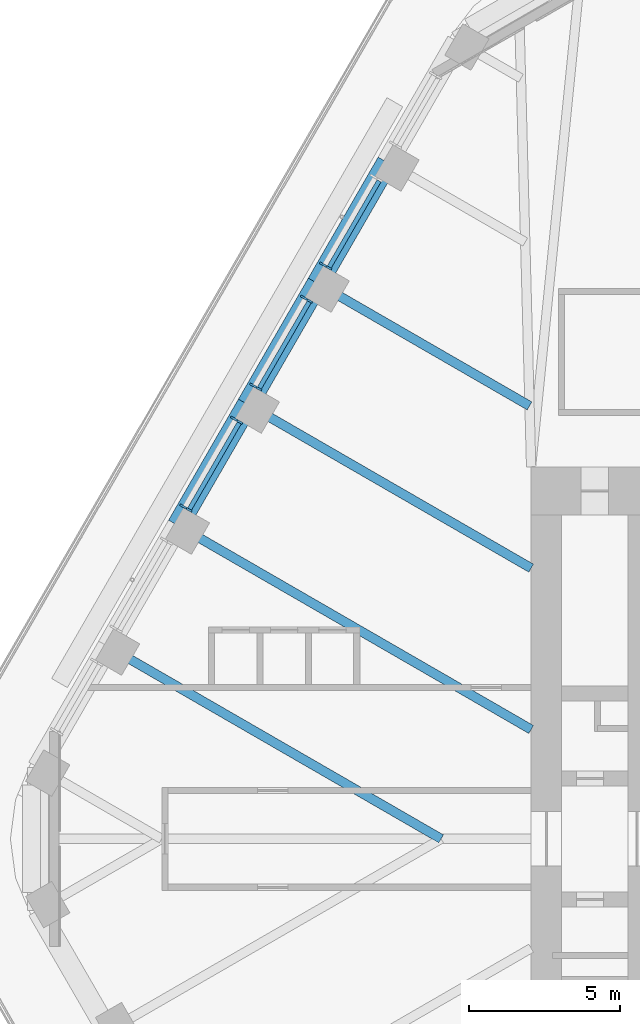
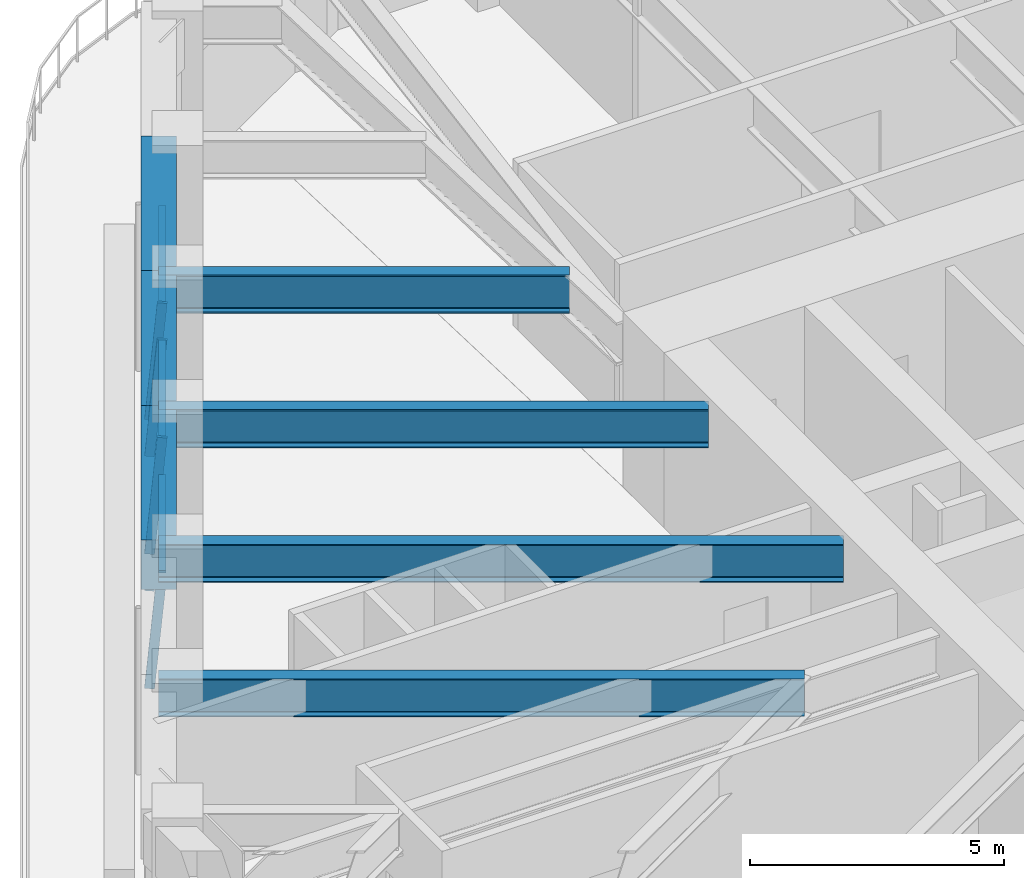
# One storey, part 7 of 20: 8 members, 7 beams, 3 elements without a shape of their own.
"""IFC4 building model written with IfcOpenShell, lengths in metres."""

import ifcopenshell
import ifcopenshell.guid

model = None  # the IFC model being written
_history = None  # IfcOwnerHistory: only IFC2X3 demands one
_inside = {}  # id of a spatial element -> (the spatial element, [elements in it])
_under = {}  # id of a project, library or spatial element -> (it, [spatial elements below it])
_declared = {}  # id of a project -> (the project, [libraries it declares])
_typed = {}  # id of a type object -> (the type object, [elements of that type])
_made_of = {}  # id of a material, layer set ... -> (it, [elements and type objects made of it])


def new_model(schema):
    """Start an empty IFC model of exactly this schema.

    Asked for "IFC4X3", IfcOpenShell would pick the latest addendum, in which some entities
    have other attributes; the version numbers below select the first issue.
    IFC2X3 requires an IfcOwnerHistory on every rooted entity: one is made here for all.
    """
    global model, _history
    if schema == "IFC4X3":
        model = ifcopenshell.file(schema_version=(4, 3, 0, 0))
    else:
        model = ifcopenshell.file(schema=schema)
    _inside.clear()
    _under.clear()
    _declared.clear()
    _typed.clear()
    _made_of.clear()
    _history = None
    if model.schema == "IFC2X3":
        org = make("IfcOrganization", Name="unknown")
        user = make(
            "IfcPersonAndOrganization",
            ThePerson=make("IfcPerson", FamilyName="unknown"),
            TheOrganization=org,
        )
        app = make(
            "IfcApplication",
            ApplicationDeveloper=org,
            Version="unknown",
            ApplicationFullName="unknown",
            ApplicationIdentifier="unknown",
        )
        _history = make(
            "IfcOwnerHistory",
            OwningUser=user,
            OwningApplication=app,
            ChangeAction="ADDED",
            CreationDate=0,
        )
    return model


def make(cls, **values):
    """One entity of the class cls with the attributes given. An attribute that is None is left unset."""
    return model.create_entity(
        cls, **{name: value for name, value in values.items() if value is not None}
    )


def rooted(cls, **values):
    """An entity with a GlobalId (a new one), such as an element, a storey or a relation."""
    return make(cls, GlobalId=ifcopenshell.guid.new(), OwnerHistory=_history, **values)


def si_unit(unit_type, name, prefix=None):
    """IfcSIUnit, for example si_unit("LENGTHUNIT", "METRE", prefix="MILLI")."""
    return make("IfcSIUnit", UnitType=unit_type, Prefix=prefix, Name=name)


def assignment(units):
    """IfcUnitAssignment: the units of a project."""
    return None if units is None else make("IfcUnitAssignment", Units=units)


def point(xyz):
    """IfcCartesianPoint."""
    return None if xyz is None else make("IfcCartesianPoint", Coordinates=xyz)


def direction(xyz):
    """IfcDirection."""
    return None if xyz is None else make("IfcDirection", DirectionRatios=xyz)


def frame(location, z_axis=None, x_axis=None):
    """IfcAxis2Placement3D, a coordinate frame: its origin and axes. An axis left out is left unset."""
    return make(
        "IfcAxis2Placement3D",
        Location=point(location),
        Axis=direction(z_axis),
        RefDirection=direction(x_axis),
    )


def frame_2d(location, x_axis=None):
    """IfcAxis2Placement2D, a coordinate frame in the plane: its origin and x axis."""
    return make(
        "IfcAxis2Placement2D", Location=point(location), RefDirection=direction(x_axis)
    )


def origin():
    """The frame at (0, 0, 0) with its axes left unset."""
    return frame((0.0, 0.0, 0.0))


def origin_2d():
    """The frame at (0, 0) in the plane with its x axis left unset."""
    return frame_2d((0.0, 0.0))


def place(relative_to, where):
    """IfcLocalPlacement: puts the frame where relative to a parent placement (None: the world)."""
    return make(
        "IfcLocalPlacement", PlacementRelTo=relative_to, RelativePlacement=where
    )


def context(
    kind, dimensions, precision=None, world=None, true_north=None, identifier=None
):
    """IfcGeometricRepresentationContext, for example the 3D "Model" context."""
    return make(
        "IfcGeometricRepresentationContext",
        ContextIdentifier=identifier,
        ContextType=kind,
        CoordinateSpaceDimension=dimensions,
        Precision=precision,
        WorldCoordinateSystem=world,
        TrueNorth=true_north,
    )


def subcontext(parent, identifier, kind, view, scale=None):
    """IfcGeometricRepresentationSubContext, for example "Body" below "Model"."""
    return make(
        "IfcGeometricRepresentationSubContext",
        ContextIdentifier=identifier,
        ContextType=kind,
        ParentContext=parent,
        TargetScale=scale,
        TargetView=view,
    )


def project(units=None, contexts=None):
    """IfcProject with its units and contexts."""
    return rooted(
        "IfcProject",
        Name="project",
        RepresentationContexts=contexts,
        UnitsInContext=assignment(units),
    )


def spatial(cls, under=None, at=None, **own):
    """A site, building, storey or space (cls), placed at a placement, below another one or the project."""
    s = rooted(cls, ObjectPlacement=at, **own)
    if under is not None:
        _under.setdefault(under.id(), (under, []))[1].append(s)
    return s


def profile(cls, at=None, kind="AREA", **sizes):
    """A parametric profile (cls). Its sizes go by their IFC names, for example OverallWidth=200.0."""
    return make(cls, ProfileType=kind, Position=at, **sizes)


def rectangle(**sizes):
    """IfcRectangleProfileDef."""
    return profile("IfcRectangleProfileDef", **sizes)


def i_section(**sizes):
    """IfcIShapeProfileDef."""
    return profile("IfcIShapeProfileDef", **sizes)


def extrude(swept, where, along, depth):
    """IfcExtrudedAreaSolid: the profile swept, set in the frame where, extruded along a direction by depth."""
    return make(
        "IfcExtrudedAreaSolid",
        SweptArea=swept,
        Position=where,
        ExtrudedDirection=direction(along),
        Depth=depth,
    )


def shape(context_of_items, identifier, shape_type, items):
    """IfcShapeRepresentation: the items that make up one representation, for example the "Body"."""
    return make(
        "IfcShapeRepresentation",
        ContextOfItems=context_of_items,
        RepresentationIdentifier=identifier,
        RepresentationType=shape_type,
        Items=items,
    )


def material(Name=None, Category=None):
    """IfcMaterial."""
    return make("IfcMaterial", Name=Name, Category=Category)


def material_profile(
    of_material, cross_section, Name=None, Category=None, Priority=None
):
    """IfcMaterialProfile: a cross section and its material."""
    return make(
        "IfcMaterialProfile",
        Name=Name,
        Material=of_material,
        Profile=cross_section,
        Priority=Priority,
        Category=Category,
    )


def profile_set(profiles, Name=None, composite=None):
    """IfcMaterialProfileSet."""
    return make(
        "IfcMaterialProfileSet",
        Name=Name,
        MaterialProfiles=profiles,
        CompositeProfile=composite,
    )


def made_of(thing, what):
    """Note that an element or type object is made of a material, layer set ...; save() writes the relation."""
    if what is not None:
        _made_of.setdefault(what.id(), (what, []))[1].append(thing)
    return thing


def type_object(cls, material=None, **own):
    """A type object (cls), such as IfcWallType, which elements share."""
    return made_of(rooted(cls, **own), material)


def element(
    cls,
    number,
    at=None,
    inside=None,
    cuts=None,
    type_object=None,
    material=None,
    context=None,
    identifier="Body",
    shape_type=None,
    held_by="IfcProductDefinitionShape",
    body=None,
    shapes=None,
    **own,
):
    """One element of the class cls, such as IfcWall. Its Tag is "e" and its number.

    at: its placement. inside: the storey or other place that contains it. cuts: it is an
    opening in that element (IfcRelVoidsElement). A single representation is given by context,
    identifier, shape_type and body (its items); several are given by shapes. held_by: the class
    of the entity that holds the representations. save() writes the other relations.
    """
    e = rooted(cls, Tag="e%d" % number, ObjectPlacement=at, **own)
    if body is not None:
        shapes = [shape(context, identifier, shape_type, body)]
    if shapes is not None:
        e.Representation = make(held_by, Representations=shapes)
    if inside is not None:
        _inside.setdefault(inside.id(), (inside, []))[1].append(e)
    if cuts is not None:
        rooted(
            "IfcRelVoidsElement", RelatingBuildingElement=cuts, RelatedOpeningElement=e
        )
    if type_object is not None:
        _typed.setdefault(type_object.id(), (type_object, []))[1].append(e)
    return made_of(e, material)


def aggregate(whole, parts):
    """IfcRelAggregates: a whole, such as a stair, and the parts it consists of."""
    return rooted("IfcRelAggregates", RelatingObject=whole, RelatedObjects=parts)


def save(model, path):
    """Write the relations noted so far, then the file.

    IfcRelAggregates (storeys below a building ...), IfcRelContainedInSpatialStructure (elements
    in a storey), IfcRelDefinesByType, IfcRelAssociatesMaterial and IfcRelDeclares: one each for
    every whole, place, type object, material and project.
    """
    for whole, parts in _under.values():
        aggregate(whole, parts)
    for where, things in _inside.values():
        rooted(
            "IfcRelContainedInSpatialStructure",
            RelatedElements=things,
            RelatingStructure=where,
        )
    for kind, things in _typed.values():
        rooted("IfcRelDefinesByType", RelatedObjects=things, RelatingType=kind)
    for what, things in _made_of.values():
        rooted("IfcRelAssociatesMaterial", RelatedObjects=things, RelatingMaterial=what)
    for by, libraries in _declared.values():
        rooted("IfcRelDeclares", RelatingContext=by, RelatedDefinitions=libraries)
    model.write(path)


model = new_model("IFC4")

# Units and contexts
model_context = context("Model", 3, precision=1e-05, world=origin(), true_north=direction((0.0, 1.0)))
body_context = subcontext(model_context, "Body", "Model", "MODEL_VIEW")
ifc_project = project(units=[si_unit("LENGTHUNIT", "METRE"), si_unit("AREAUNIT", "SQUARE_METRE"), si_unit("VOLUMEUNIT", "CUBIC_METRE"), si_unit("PLANEANGLEUNIT", "RADIAN"), si_unit("MASSUNIT", "GRAM", prefix="KILO")], contexts=[model_context])

# Site, building, storey
site_placement = place(None, origin())
site = spatial("IfcSite", under=ifc_project, at=site_placement, CompositionType="ELEMENT")
building_placement = place(site_placement, origin())
building = spatial("IfcBuilding", under=site, at=building_placement, Name="Tarfa Lantern Tower", CompositionType="ELEMENT")
storey_placement = place(building_placement, frame((0.0, 0.0, 270.10009765625)))
storey = spatial("IfcBuildingStorey", under=building, at=storey_placement, Name="L61", CompositionType="ELEMENT", Elevation=270.10009765625)

# Curtain wall, member
ifc_material_1 = material(Name="Aluminium framed curtain wall", Category="aluminium")
curtain_wall_type = type_object("IfcCurtainWallType", Name="CW3 CANTED GLAZING HIGH ZONE 2800", PredefinedType="USERDEFINED", material=ifc_material_1)
curtain_wall_1_placement = place(storey_placement, origin())
curtain_wall_1 = element("IfcCurtainWall", 1, at=curtain_wall_1_placement, inside=storey, type_object=curtain_wall_type, Name="CW3 NW L61", ObjectType="CURTAIN WALL", PredefinedType="USERDEFINED")
ifc_material_2 = material(Name="Aluminium mullion", Category="aluminium")
ifc_material_profile_1 = material_profile(ifc_material_2, rectangle(XDim=0.06494140625, YDim=0.199951171875, at=origin_2d()), Name="AL MULLION 65x200")
ifc_profile_set_1 = profile_set([ifc_material_profile_1], Name="Aluminium mullion")
member_type_1 = type_object("IfcMemberType", Name="CWM1 MULLION 65x200", PredefinedType="MULLION", material=ifc_profile_set_1)
member_1_placement = place(storey_placement, frame((-22.402587890625, 18.997802734375, 0.0), z_axis=(0.077039050765, -0.044468989844, 0.996035889715), x_axis=(0.499919672301, 0.866071776036, 0.0)))
member_1 = element("IfcMember", 2, at=member_1_placement, type_object=member_type_1, Name="CW3 mullion 2", PredefinedType="MULLION", context=body_context, shape_type="SweptSolid", body=[
    extrude(rectangle(XDim=0.06494140625, YDim=0.199951171875, at=origin_2d()), origin(), (0.0, 0.0, 1.0), 2.81103515625),
])

# Curtain wall, members
curtain_wall_2_placement = place(storey_placement, origin())
curtain_wall_2 = element("IfcCurtainWall", 3, at=curtain_wall_2_placement, inside=storey, type_object=curtain_wall_type, Name="CW3 NW L61", ObjectType="CURTAIN WALL", PredefinedType="USERDEFINED")
member_2_placement = place(storey_placement, frame((-23.034912109375, 17.90234375, 0.0), z_axis=(0.077039050765, -0.044468989844, 0.996035889715), x_axis=(0.499919672301, 0.866071776036, 0.0)))
member_2 = element("IfcMember", 4, at=member_2_placement, type_object=member_type_1, Name="CW3 mullion 1", PredefinedType="MULLION", context=body_context, shape_type="SweptSolid", body=[
    extrude(rectangle(XDim=0.06494140625, YDim=0.199951171875, at=origin_2d()), origin(), (0.0, 0.0, 1.0), 2.81103515625),
])
member_3_placement = place(storey_placement, frame((-24.7119140625, 14.997802734375, 0.0), z_axis=(0.077039050765, -0.044468989844, 0.996035889715), x_axis=(0.499919672301, 0.866071776036, 0.0)))
member_3 = element("IfcMember", 5, at=member_3_placement, type_object=member_type_1, Name="CW3 mullion 2", PredefinedType="MULLION", context=body_context, shape_type="SweptSolid", body=[
    extrude(rectangle(XDim=0.06494140625, YDim=0.199951171875, at=origin_2d()), origin(), (0.0, 0.0, 1.0), 2.81103515625),
])

curtain_wall_3_placement = place(storey_placement, origin())
curtain_wall_3 = element("IfcCurtainWall", 6, at=curtain_wall_3_placement, inside=storey, type_object=curtain_wall_type, Name="CW3 NW L61", ObjectType="CURTAIN WALL", PredefinedType="USERDEFINED")
member_4_placement = place(storey_placement, frame((-25.344482421875, 13.90234375, 0.0), z_axis=(0.077039050765, -0.044468989844, 0.996035889715), x_axis=(0.499919672301, 0.866071776036, 0.0)))
member_4 = element("IfcMember", 7, at=member_4_placement, type_object=member_type_1, Name="CW3 mullion 1", PredefinedType="MULLION", context=body_context, shape_type="SweptSolid", body=[
    extrude(rectangle(XDim=0.06494140625, YDim=0.199951171875, at=origin_2d()), origin(), (0.0, 0.0, 1.0), 2.81103515625),
])
member_5_placement = place(storey_placement, frame((-27.021240234375, 10.997802734375, 0.0), z_axis=(0.077039050765, -0.044468989844, 0.996035889715), x_axis=(0.499919672301, 0.866071776036, 0.0)))
member_5 = element("IfcMember", 8, at=member_5_placement, type_object=member_type_1, Name="CW3 mullion 2", PredefinedType="MULLION", context=body_context, shape_type="SweptSolid", body=[
    extrude(rectangle(XDim=0.06494140625, YDim=0.199951171875, at=origin_2d()), origin(), (0.0, 0.0, 1.0), 2.81103515625),
])

# Member
ifc_material_3 = material(Name="Aluminium transom", Category="aluminium")
ifc_material_profile_2 = material_profile(ifc_material_3, rectangle(XDim=0.14990234375, YDim=0.06494140625, at=origin_2d()), Name="AL TRANSOM 150x65")
ifc_profile_set_2 = profile_set([ifc_material_profile_2], Name="Aluminium transom")
member_type_2 = type_object("IfcMemberType", Name="CWT1 TRANSOM 150x65", PredefinedType="USERDEFINED", material=ifc_profile_set_2)
member_6_placement = place(storey_placement, frame((-20.52783203125, 21.75048828125, 2.767333984375), z_axis=(-0.499979497339, -0.866037240677, 0.0), x_axis=(0.866037240677, -0.499979497339, 0.0)))
member_6 = element("IfcMember", 9, at=member_6_placement, type_object=member_type_2, Name="CW3 transom 1.2", ObjectType="TRANSOM", PredefinedType="USERDEFINED", context=body_context, shape_type="SweptSolid", body=[
    extrude(rectangle(XDim=0.14990234375, YDim=0.06494140625, at=origin_2d()), origin(), (0.0, 0.0, 1.0), 3.288818359375),
])

aggregate(curtain_wall_1, [member_1, member_6])

member_7_placement = place(storey_placement, frame((-22.837158203125, 17.75048828125, 2.767333984375), z_axis=(-0.500035172766, -0.866005095826, 0.0), x_axis=(0.866005095826, -0.500035172766, 0.0)))
member_7 = element("IfcMember", 10, at=member_7_placement, type_object=member_type_2, Name="CW3 transom 1.2", ObjectType="TRANSOM", PredefinedType="USERDEFINED", context=body_context, shape_type="SweptSolid", body=[
    extrude(rectangle(XDim=0.14990234375, YDim=0.06494140625, at=origin_2d()), origin(), (0.0, 0.0, 1.0), 3.288818359375),
])

aggregate(curtain_wall_2, [member_2, member_3, member_7])

member_8_placement = place(storey_placement, frame((-25.146728515625, 13.75048828125, 2.767333984375), z_axis=(-0.499979497339, -0.866037240677, 0.0), x_axis=(0.866037240677, -0.499979497339, 0.0)))
member_8 = element("IfcMember", 11, at=member_8_placement, type_object=member_type_2, Name="CW3 transom 1.2", ObjectType="TRANSOM", PredefinedType="USERDEFINED", context=body_context, shape_type="SweptSolid", body=[
    extrude(rectangle(XDim=0.14990234375, YDim=0.06494140625, at=origin_2d()), origin(), (0.0, 0.0, 1.0), 3.288818359375),
])

aggregate(curtain_wall_3, [member_4, member_5, member_8])

# Beams
ifc_material_4 = material(Name="Concrete C80/95", Category="concrete")
ifc_material_profile_3 = material_profile(ifc_material_4, rectangle(XDim=0.699951171875, YDim=1.199951171875, at=origin_2d()), Name="RC 700x1200")
ifc_profile_set_3 = profile_set([ifc_material_profile_3], Name="Concrete C80/95")
beam_type_1 = type_object("IfcBeamType", Name="EB3 RC 700x1200", PredefinedType="SPANDREL", material=ifc_profile_set_3)
beam_1_placement = place(storey_placement, frame((-20.25341796875, 22.360107421875, 3.39990234375), z_axis=(-0.499987836815, -0.866032426089, 0.0), x_axis=(0.866032426089, -0.499987836815, 0.0)))
element("IfcBeam", 12, at=beam_1_placement, inside=storey, type_object=beam_type_1, Name="Edge beam NW1", PredefinedType="SPANDREL", context=body_context, shape_type="SweptSolid", body=[
    extrude(rectangle(XDim=0.699951171875, YDim=1.199951171875, at=origin_2d()), origin(), (0.0, 0.0, 1.0), 4.61865234375),
])
beam_2_placement = place(storey_placement, frame((-22.562744140625, 18.360107421875, 3.39990234375), z_axis=(-0.500027479704, -0.866009537788, 0.0), x_axis=(0.866009537788, -0.500027479704, 0.0)))
element("IfcBeam", 13, at=beam_2_placement, inside=storey, type_object=beam_type_1, Name="Edge beam NW2", PredefinedType="SPANDREL", context=body_context, shape_type="SweptSolid", body=[
    extrude(rectangle(XDim=0.699951171875, YDim=1.199951171875, at=origin_2d()), origin(), (0.0, 0.0, 1.0), 4.618896484375),
])
beam_3_placement = place(storey_placement, frame((-24.872314453125, 14.360107421875, 3.39990234375), z_axis=(-0.499987836815, -0.866032426089, 0.0), x_axis=(0.866032426089, -0.499987836815, 0.0)))
element("IfcBeam", 14, at=beam_3_placement, inside=storey, type_object=beam_type_1, Name="Edge beam NW3", PredefinedType="SPANDREL", context=body_context, shape_type="SweptSolid", body=[
    extrude(rectangle(XDim=0.699951171875, YDim=1.199951171875, at=origin_2d()), origin(), (0.0, 0.0, 1.0), 4.61865234375),
])
ifc_material_5 = material(Name="Steel S460M", Category="steel")
ifc_material_profile_4 = material_profile(ifc_material_5, i_section(OverallWidth=0.305419921875, OverallDepth=0.91845703125, WebThickness=0.017333984375, FlangeThickness=0.02783203125, FilletRadius=0.01904296875, at=origin_2d()), Name="UB914x305x253")
ifc_profile_set_4 = profile_set([ifc_material_profile_4], Name="Steel S460M")
beam_type_2 = type_object("IfcBeamType", Name="UB914x305x253", PredefinedType="BEAM", material=ifc_profile_set_4)
beam_4_placement = place(storey_placement, frame((-22.562744140625, 18.360107421875, 3.540771484375), z_axis=(0.866010787764, -0.500025314835, 0.0), x_axis=(0.500025314835, 0.866010787764, 0.0)))
element("IfcBeam", 15, at=beam_4_placement, inside=storey, type_object=beam_type_2, Name="Floor beam NW2", PredefinedType="BEAM", context=body_context, shape_type="SweptSolid", body=[
    extrude(i_section(OverallWidth=0.305419921875, OverallDepth=0.91845703125, WebThickness=0.017333984375, FlangeThickness=0.02783203125, FilletRadius=0.01904296875, at=origin_2d()), origin(), (0.0, 0.0, 1.0), 8.09423828125),
])
beam_5_placement = place(storey_placement, frame((-24.872314453125, 14.360107421875, 3.540771484375), z_axis=(0.8660244219, -0.500001700669, 0.0), x_axis=(0.500001700669, 0.8660244219, 0.0)))
element("IfcBeam", 16, at=beam_5_placement, inside=storey, type_object=beam_type_2, Name="Floor beam NW3", PredefinedType="BEAM", context=body_context, shape_type="SweptSolid", body=[
    extrude(i_section(OverallWidth=0.305419921875, OverallDepth=0.91845703125, WebThickness=0.017333984375, FlangeThickness=0.02783203125, FilletRadius=0.01904296875, at=origin_2d()), origin(), (0.0, 0.0, 1.0), 10.822265625),
])
beam_6_placement = place(storey_placement, frame((-27.181640625, 10.360107421875, 3.540771484375), z_axis=(0.866018002818, -0.500012818631, 0.0), x_axis=(0.500012818631, 0.866018002818, 0.0)))
element("IfcBeam", 17, at=beam_6_placement, inside=storey, type_object=beam_type_2, Name="Floor beam NW4", PredefinedType="BEAM", context=body_context, shape_type="SweptSolid", body=[
    extrude(i_section(OverallWidth=0.305419921875, OverallDepth=0.91845703125, WebThickness=0.017333984375, FlangeThickness=0.02783203125, FilletRadius=0.01904296875, at=origin_2d()), origin(), (0.0, 0.0, 1.0), 13.489013671875),
])
beam_7_placement = place(storey_placement, frame((-29.490966796875, 6.360107421875, 3.540771484375), z_axis=(0.866022258038, -0.500005448553, 0.0), x_axis=(0.500005448553, 0.866022258038, 0.0)))
element("IfcBeam", 18, at=beam_7_placement, inside=storey, type_object=beam_type_2, Name="Floor beam NW5", PredefinedType="BEAM", context=body_context, shape_type="SweptSolid", body=[
    extrude(i_section(OverallWidth=0.305419921875, OverallDepth=0.91845703125, WebThickness=0.017333984375, FlangeThickness=0.02783203125, FilletRadius=0.01904296875, at=origin_2d()), origin(), (0.0, 0.0, 1.0), 12.719970703125),
])

save(model, "model.ifc")
